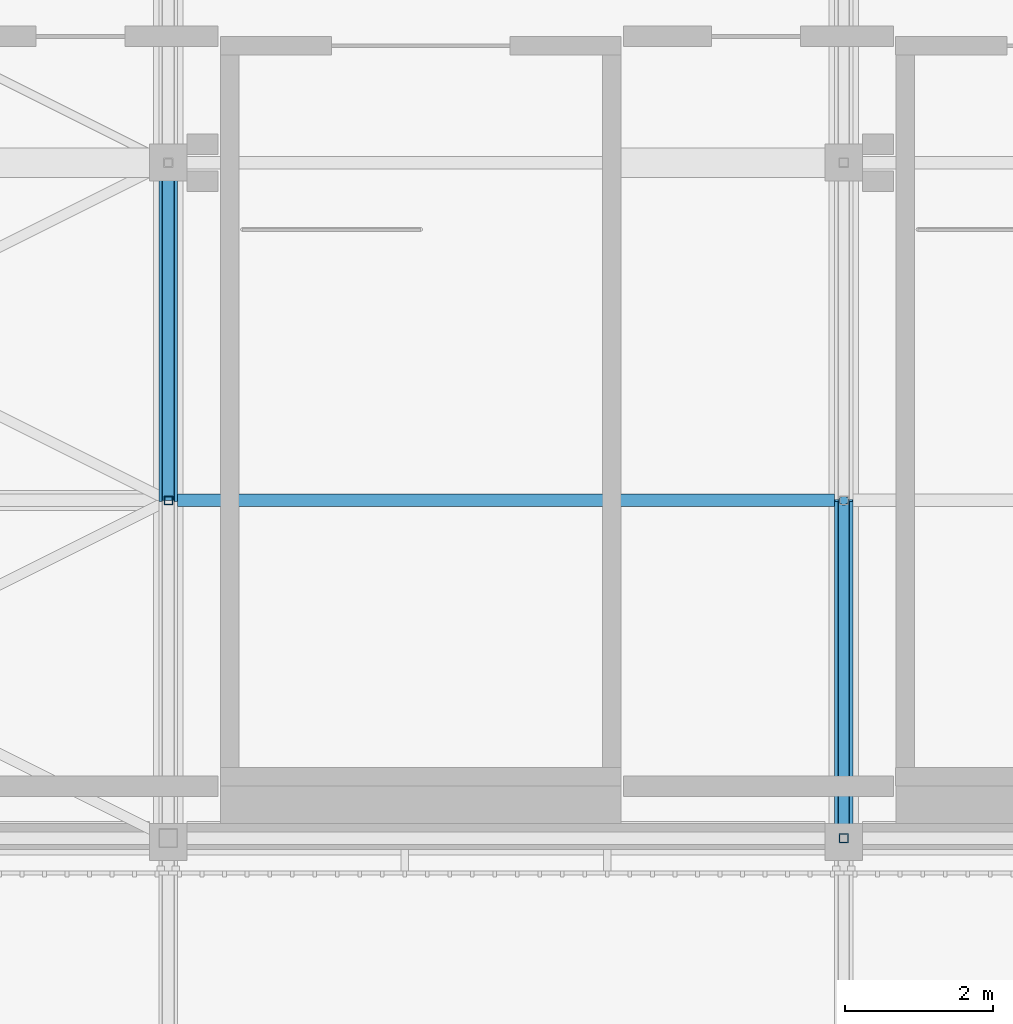
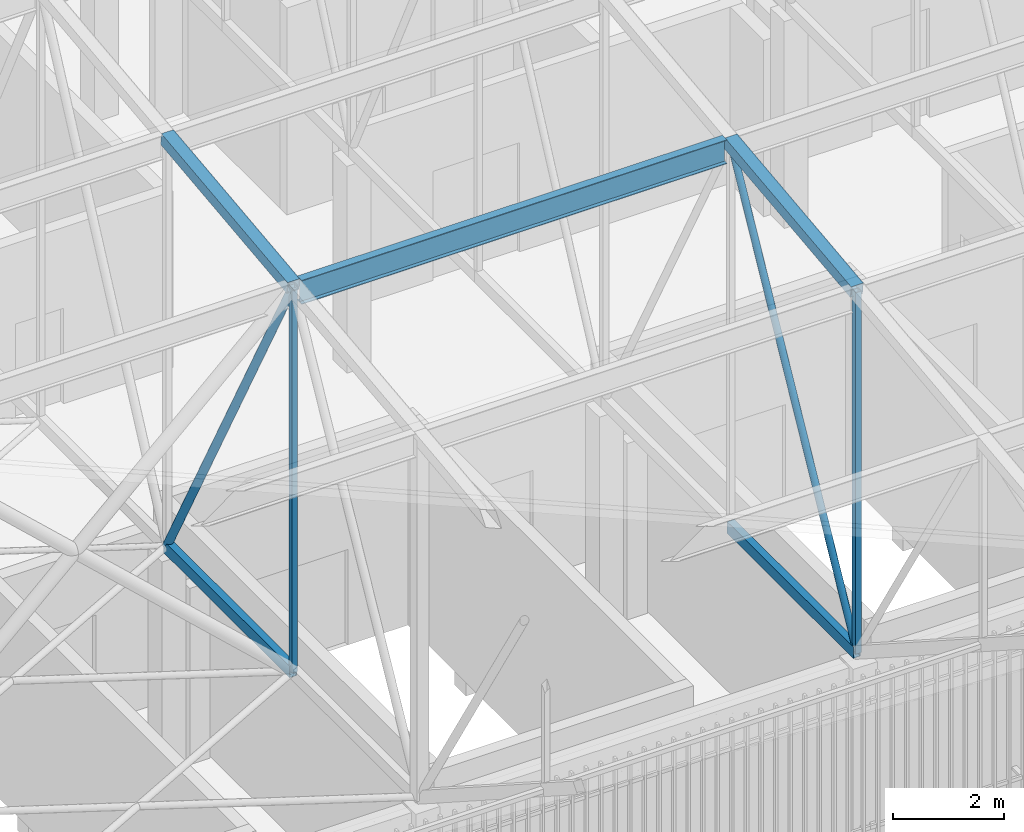
# One storey, part 10 of 500: 9 members.
"""IFC4 building model written with IfcOpenShell, lengths in metres."""

from ifc_helpers import new_model, si_unit, direction, frame, origin, origin_2d, place, context, subcontext, project, spatial, hollow_rectangle, hollow_circle, i_section, extrude, material, material_profile, profile_set, type_object, element, save


model = new_model("IFC4")

# Units and contexts
model_context = context("Model", 3, precision=1e-05, world=origin(), true_north=direction((0.0, 1.0)))
body_context = subcontext(model_context, "Body", "Model", "MODEL_VIEW")
ifc_project = project(units=[si_unit("LENGTHUNIT", "METRE"), si_unit("AREAUNIT", "SQUARE_METRE"), si_unit("VOLUMEUNIT", "CUBIC_METRE"), si_unit("PLANEANGLEUNIT", "RADIAN"), si_unit("MASSUNIT", "GRAM", prefix="KILO")], contexts=[model_context])

# Site, building, storey
site_placement = place(None, origin())
site = spatial("IfcSite", under=ifc_project, at=site_placement, CompositionType="ELEMENT")
building_placement = place(site_placement, origin())
building = spatial("IfcBuilding", under=site, at=building_placement, Name="Shirokan Park Arena", CompositionType="ELEMENT")
storey_placement = place(building_placement, frame((0.0, 0.0, 29.1201171875)))
storey = spatial("IfcBuildingStorey", under=building, at=storey_placement, Name="L06", CompositionType="ELEMENT", Elevation=29.1201171875)

# Members
ifc_material_1 = material(Name="Steel ASTM A500 Grade C", Category="steel")
ifc_material_profile_1 = material_profile(ifc_material_1, hollow_rectangle(XDim=0.152099609375, YDim=0.25390625, WallThickness=0.009521484375, at=origin_2d()), Name="HSS254X152.4X9.5")
ifc_profile_set_1 = profile_set([ifc_material_profile_1], Name="Steel ASTM A500 Grade C")
member_type_1 = type_object("IfcMemberType", Name="Bottom chord HSS254X152.4X9.5", PredefinedType="CHORD", material=ifc_profile_set_1)
for number, where, z_axis, x_axis, name in (
    (1, (9.10009765625, 4.550048828125, 4.677001953125), (0.0, 1.0, 0.0), (-1.0, 0.0, 0.0), "Truss T02 bottom chord 4"),
    (2, (18.199951171875, 0.0, 4.677001953125), (0.0, 1.0, 0.0), (-1.0, 0.0, 0.0), "Truss T03 bottom chord 3"),
):
    element("IfcMember", number, at=place(storey_placement, frame(where, z_axis=z_axis, x_axis=x_axis)), inside=storey, type_object=member_type_1, Name=name, PredefinedType="CHORD", context=body_context, shape_type="SweptSolid", body=[
        extrude(hollow_rectangle(XDim=0.152099609375, YDim=0.25390625, WallThickness=0.009521484375, at=origin_2d()), origin(), (0.0, 0.0, 1.0), 4.550048828125),
    ])
ifc_material_2 = material(Name="Steel ASTM A992", Category="steel")
ifc_material_profile_2 = material_profile(ifc_material_2, i_section(OverallWidth=0.166015625, OverallDepth=0.528076171875, WebThickness=0.009765625, FlangeThickness=0.013671875, at=origin_2d()), Name="W530X74")
ifc_profile_set_2 = profile_set([ifc_material_profile_2], Name="Steel ASTM A992")
member_type_2 = type_object("IfcMemberType", Name="Purlin W530X74", PredefinedType="PURLIN", material=ifc_profile_set_2)
member_1_placement = place(storey_placement, frame((9.22705078125, 4.550048828125, 13.005859375), z_axis=(1.0, 0.0, 0.0), x_axis=(0.0, 1.0, 0.0)))
element("IfcMember", 3, at=member_1_placement, inside=storey, type_object=member_type_2, Name="Purlin 4 bay 2", PredefinedType="PURLIN", context=body_context, shape_type="SweptSolid", body=[
    extrude(i_section(OverallWidth=0.166015625, OverallDepth=0.528076171875, WebThickness=0.009765625, FlangeThickness=0.013671875, at=origin_2d()), origin(), (0.0, 0.0, 1.0), 8.845947265625),
])
ifc_material_profile_3 = material_profile(ifc_material_1, hollow_rectangle(XDim=0.25390625, YDim=0.25390625, WallThickness=0.009521484375, at=origin_2d()), Name="HSS254X254X9.5")
ifc_profile_set_3 = profile_set([ifc_material_profile_3], Name="Steel ASTM A500 Grade C")
member_type_3 = type_object("IfcMemberType", Name="Top chord HSS254X254X9.5", PredefinedType="CHORD", material=ifc_profile_set_3)
for number, where, z_axis, x_axis, name in (
    (4, (9.10009765625, 4.550048828125, 13.142822265625), (0.0, 0.993532328996, 0.113549598152), (-1.0, 0.0, 0.0), "Truss T02 top chord 4"),
    (5, (18.199951171875, 0.0, 12.622802734375), (0.0, 0.993532328996, 0.113549598152), (-1.0, 0.0, 0.0), "Truss T03 top chord 3"),
):
    element("IfcMember", number, at=place(storey_placement, frame(where, z_axis=z_axis, x_axis=x_axis)), inside=storey, type_object=member_type_3, Name=name, PredefinedType="CHORD", context=body_context, shape_type="SweptSolid", body=[
        extrude(hollow_rectangle(XDim=0.25390625, YDim=0.25390625, WallThickness=0.009521484375, at=origin_2d()), origin(), (0.0, 0.0, 1.0), 4.57958984375),
    ])
ifc_material_profile_4 = material_profile(ifc_material_1, hollow_circle(Radius=0.070556640625, WallThickness=0.006591796875, at=origin_2d()), Name="HSS141.3X6.6")
ifc_profile_set_4 = profile_set([ifc_material_profile_4], Name="Steel ASTM A500 Grade C")
member_type_4 = type_object("IfcMemberType", Name="Truss diagonal HSS141.3X6.6", PredefinedType="BRACE", material=ifc_profile_set_4)
member_2_placement = place(storey_placement, frame((18.199951171875, 0.0, 4.677001953125), z_axis=(0.0, 0.473416507165, 0.880838697347), x_axis=(-1.0, 0.0, 0.0)))
element("IfcMember", 6, at=member_2_placement, inside=storey, type_object=member_type_4, Name="Truss T03 diagonal 3", PredefinedType="BRACE", context=body_context, shape_type="SweptSolid", body=[
    extrude(hollow_circle(Radius=0.070556640625, WallThickness=0.006591796875, at=origin_2d()), origin(), (0.0, 0.0, 1.0), 9.611083984375),
])
ifc_material_profile_5 = material_profile(ifc_material_1, hollow_circle(Radius=0.083984375, WallThickness=0.009521484375, at=origin_2d()), Name="HSS168.3X9.5")
ifc_profile_set_5 = profile_set([ifc_material_profile_5], Name="Steel ASTM A500 Grade C")
member_type_5 = type_object("IfcMemberType", Name="Truss diagonal HSS168.3X9.5", PredefinedType="BRACE", material=ifc_profile_set_5)
member_3_placement = place(storey_placement, frame((9.10009765625, 4.550048828125, 13.142822265625), z_axis=(0.0, 0.473416507165, -0.880838697347), x_axis=(-1.0, 0.0, 0.0)))
element("IfcMember", 7, at=member_3_placement, inside=storey, type_object=member_type_5, Name="Truss T02 diagonal 4", PredefinedType="BRACE", context=body_context, shape_type="SweptSolid", body=[
    extrude(hollow_circle(Radius=0.083984375, WallThickness=0.009521484375, at=origin_2d()), origin(), (0.0, 0.0, 1.0), 9.611083984375),
])
ifc_material_profile_6 = material_profile(ifc_material_1, hollow_rectangle(XDim=0.114013671875, YDim=0.114013671875, WallThickness=0.00634765625, at=origin_2d()), Name="HSS114.3X114.3X6.4")
ifc_profile_set_6 = profile_set([ifc_material_profile_6], Name="Steel ASTM A500 Grade C")
member_type_6 = type_object("IfcMemberType", Name="Truss post HSS114.3X114.3X6.4", PredefinedType="POST", material=ifc_profile_set_6)
member_4_placement = place(storey_placement, frame((9.10009765625, 4.550048828125, 4.677001953125), z_axis=(0.0, 0.0, 1.0), x_axis=(1.0, 0.0, 0.0)))
element("IfcMember", 8, at=member_4_placement, inside=storey, type_object=member_type_6, Name="Truss T02 post 4", PredefinedType="POST", context=body_context, shape_type="SweptSolid", body=[
    extrude(hollow_rectangle(XDim=0.114013671875, YDim=0.114013671875, WallThickness=0.00634765625, at=origin_2d()), origin(), (0.0, 0.0, 1.0), 8.4658203125),
])
ifc_material_profile_7 = material_profile(ifc_material_1, hollow_rectangle(XDim=0.126953125, YDim=0.126953125, WallThickness=0.0126953125, at=origin_2d()), Name="HSS127X127X12.7")
ifc_profile_set_7 = profile_set([ifc_material_profile_7], Name="Steel ASTM A500 Grade C")
member_type_7 = type_object("IfcMemberType", Name="Truss post HSS127X127X12.7", PredefinedType="POST", material=ifc_profile_set_7)
member_5_placement = place(storey_placement, frame((18.199951171875, 0.0, 4.677001953125), z_axis=(0.0, 0.0, 1.0), x_axis=(1.0, 0.0, 0.0)))
element("IfcMember", 9, at=member_5_placement, inside=storey, type_object=member_type_7, Name="Truss T03 post 3", PredefinedType="POST", context=body_context, shape_type="SweptSolid", body=[
    extrude(hollow_rectangle(XDim=0.126953125, YDim=0.126953125, WallThickness=0.0126953125, at=origin_2d()), origin(), (0.0, 0.0, 1.0), 7.94580078125),
])

save(model, "model.ifc")
